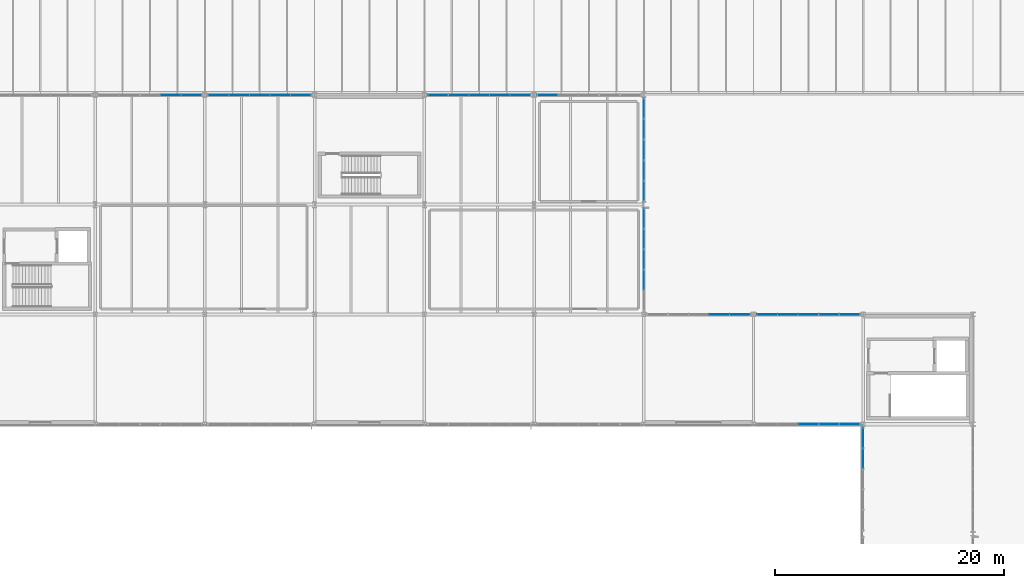
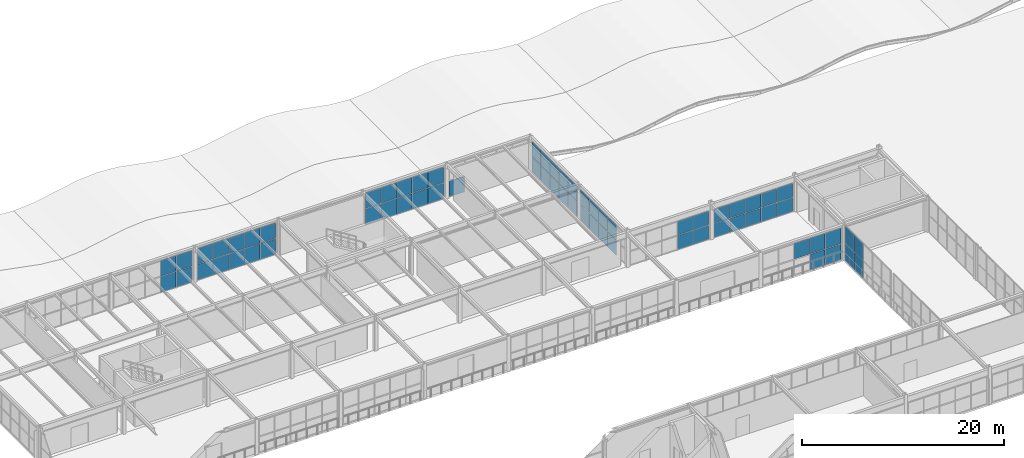
# One storey, part 140 of 170: 66 plates, 10 elements without a shape of their own.
"""IFC4 building model written with IfcOpenShell, lengths in metres."""

from ifc_helpers import new_model, si_unit, direction, frame, origin, origin_2d, place, context, subcontext, project, spatial, rectangle, extrude, material, layer, layer_set, type_object, element, aggregate, save


model = new_model("IFC4")

# Units and contexts
model_context = context("Model", 3, precision=1e-05, world=origin(), true_north=direction((0.0, 1.0)))
body_context = subcontext(model_context, "Body", "Model", "MODEL_VIEW")
ifc_project = project(units=[si_unit("LENGTHUNIT", "METRE"), si_unit("AREAUNIT", "SQUARE_METRE"), si_unit("VOLUMEUNIT", "CUBIC_METRE"), si_unit("PLANEANGLEUNIT", "RADIAN"), si_unit("MASSUNIT", "GRAM", prefix="KILO")], contexts=[model_context])

# Site, building, storey
site_placement = place(None, origin())
site = spatial("IfcSite", under=ifc_project, at=site_placement, CompositionType="ELEMENT")
building_placement = place(site_placement, origin())
building = spatial("IfcBuilding", under=site, at=building_placement, Name="Coralgate Yard Interchange", CompositionType="ELEMENT")
storey_placement = place(building_placement, frame((0.0, 0.0, 6.0)))
storey = spatial("IfcBuildingStorey", under=building, at=storey_placement, Name="L01", CompositionType="ELEMENT", Elevation=6.0)

# Curtain wall, plates
ifc_material_1 = material(Name="Anodised coastal aluminium and solar-control low-E glass", Category="aluminium")
curtain_wall_type_1 = type_object("IfcCurtainWallType", Name="CW-CW-L01-B", PredefinedType="NOTDEFINED", material=ifc_material_1)
curtain_wall_1_placement = place(storey_placement, origin())
curtain_wall_1 = element("IfcCurtainWall", 1, at=curtain_wall_1_placement, inside=storey, type_object=curtain_wall_type_1, Name="L01 unitised curtain wall CW-L01-N-06-09", PredefinedType="NOTDEFINED")
ifc_material_2 = material(Name="Solar-control double-glazed low-E glass unit", Category="glass")
ifc_layer = layer(ifc_material_2, 0.031982421875)
ifc_layer_set = layer_set([ifc_layer], Name="Solar-control double-glazed low-E glass unit")
plate_type = type_object("IfcPlateType", Name="PLT-CP-32", PredefinedType="CURTAIN_PANEL", material=ifc_layer_set)
plate_1_placement = place(storey_placement, frame((64.199951171875, 96.0, 0.025146484375), z_axis=(0.0, 0.0, 1.0), x_axis=(1.0, 0.0, 0.0)))
plate_1 = element("IfcPlate", 2, at=plate_1_placement, type_object=plate_type, Name="CW-L01-N-06-09 solar-control glazing panel 4-1", PredefinedType="CURTAIN_PANEL", context=body_context, shape_type="SweptSolid", body=[
    extrude(rectangle(XDim=1.75, YDim=0.031982421875, at=origin_2d()), origin(), (0.0, 0.0, 1.0), 1.89990234375),
])
plate_2_placement = place(storey_placement, frame((64.199951171875, 96.0, 1.97509765625), z_axis=(0.0, 0.0, 1.0), x_axis=(1.0, 0.0, 0.0)))
plate_2 = element("IfcPlate", 3, at=plate_2_placement, type_object=plate_type, Name="CW-L01-N-06-09 solar-control glazing panel 4-2", PredefinedType="CURTAIN_PANEL", context=body_context, shape_type="SweptSolid", body=[
    extrude(rectangle(XDim=1.75, YDim=0.031982421875, at=origin_2d()), origin(), (0.0, 0.0, 1.0), 1.89990234375),
])
plate_3_placement = place(storey_placement, frame((66.0, 96.0, 0.025146484375), z_axis=(0.0, 0.0, 1.0), x_axis=(1.0, 0.0, 0.0)))
plate_3 = element("IfcPlate", 4, at=plate_3_placement, type_object=plate_type, Name="CW-L01-N-06-09 solar-control glazing panel 5-1", PredefinedType="CURTAIN_PANEL", context=body_context, shape_type="SweptSolid", body=[
    extrude(rectangle(XDim=1.75, YDim=0.031982421875, at=origin_2d()), origin(), (0.0, 0.0, 1.0), 1.89990234375),
])
plate_4_placement = place(storey_placement, frame((66.0, 96.0, 1.97509765625), z_axis=(0.0, 0.0, 1.0), x_axis=(1.0, 0.0, 0.0)))
plate_4 = element("IfcPlate", 5, at=plate_4_placement, type_object=plate_type, Name="CW-L01-N-06-09 solar-control glazing panel 5-2", PredefinedType="CURTAIN_PANEL", context=body_context, shape_type="SweptSolid", body=[
    extrude(rectangle(XDim=1.75, YDim=0.031982421875, at=origin_2d()), origin(), (0.0, 0.0, 1.0), 1.89990234375),
])
aggregate(curtain_wall_1, [plate_1, plate_2, plate_3, plate_4])

curtain_wall_2_placement = place(storey_placement, origin())
curtain_wall_2 = element("IfcCurtainWall", 6, at=curtain_wall_2_placement, inside=storey, type_object=curtain_wall_type_1, Name="L01 unitised curtain wall CW-L01-N-07-09", PredefinedType="NOTDEFINED")
plate_5_placement = place(storey_placement, frame((68.39990234375, 96.0, 0.025146484375), z_axis=(0.0, 0.0, 1.0), x_axis=(1.0, 0.0, 0.0)))
plate_5 = element("IfcPlate", 7, at=plate_5_placement, type_object=plate_type, Name="CW-L01-N-07-09 solar-control glazing panel 1-1", PredefinedType="CURTAIN_PANEL", context=body_context, shape_type="SweptSolid", body=[
    extrude(rectangle(XDim=1.75, YDim=0.031982421875, at=origin_2d()), origin(), (0.0, 0.0, 1.0), 1.89990234375),
])
plate_6_placement = place(storey_placement, frame((68.39990234375, 96.0, 1.97509765625), z_axis=(0.0, 0.0, 1.0), x_axis=(1.0, 0.0, 0.0)))
plate_6 = element("IfcPlate", 8, at=plate_6_placement, type_object=plate_type, Name="CW-L01-N-07-09 solar-control glazing panel 1-2", PredefinedType="CURTAIN_PANEL", context=body_context, shape_type="SweptSolid", body=[
    extrude(rectangle(XDim=1.75, YDim=0.031982421875, at=origin_2d()), origin(), (0.0, 0.0, 1.0), 1.89990234375),
])
plate_7_placement = place(storey_placement, frame((70.199951171875, 96.0, 0.025146484375), z_axis=(0.0, 0.0, 1.0), x_axis=(1.0, 0.0, 0.0)))
plate_7 = element("IfcPlate", 9, at=plate_7_placement, type_object=plate_type, Name="CW-L01-N-07-09 solar-control glazing panel 2-1", PredefinedType="CURTAIN_PANEL", context=body_context, shape_type="SweptSolid", body=[
    extrude(rectangle(XDim=1.75, YDim=0.031982421875, at=origin_2d()), origin(), (0.0, 0.0, 1.0), 1.89990234375),
])
plate_8_placement = place(storey_placement, frame((70.199951171875, 96.0, 1.97509765625), z_axis=(0.0, 0.0, 1.0), x_axis=(1.0, 0.0, 0.0)))
plate_8 = element("IfcPlate", 10, at=plate_8_placement, type_object=plate_type, Name="CW-L01-N-07-09 solar-control glazing panel 2-2", PredefinedType="CURTAIN_PANEL", context=body_context, shape_type="SweptSolid", body=[
    extrude(rectangle(XDim=1.75, YDim=0.031982421875, at=origin_2d()), origin(), (0.0, 0.0, 1.0), 1.89990234375),
])
plate_9_placement = place(storey_placement, frame((72.0, 96.0, 0.025146484375), z_axis=(0.0, 0.0, 1.0), x_axis=(1.0, 0.0, 0.0)))
plate_9 = element("IfcPlate", 11, at=plate_9_placement, type_object=plate_type, Name="CW-L01-N-07-09 solar-control glazing panel 3-1", PredefinedType="CURTAIN_PANEL", context=body_context, shape_type="SweptSolid", body=[
    extrude(rectangle(XDim=1.75, YDim=0.031982421875, at=origin_2d()), origin(), (0.0, 0.0, 1.0), 1.89990234375),
])
plate_10_placement = place(storey_placement, frame((72.0, 96.0, 1.97509765625), z_axis=(0.0, 0.0, 1.0), x_axis=(1.0, 0.0, 0.0)))
plate_10 = element("IfcPlate", 12, at=plate_10_placement, type_object=plate_type, Name="CW-L01-N-07-09 solar-control glazing panel 3-2", PredefinedType="CURTAIN_PANEL", context=body_context, shape_type="SweptSolid", body=[
    extrude(rectangle(XDim=1.75, YDim=0.031982421875, at=origin_2d()), origin(), (0.0, 0.0, 1.0), 1.89990234375),
])
plate_11_placement = place(storey_placement, frame((73.800048828125, 96.0, 0.025146484375), z_axis=(0.0, 0.0, 1.0), x_axis=(1.0, 0.0, 0.0)))
plate_11 = element("IfcPlate", 13, at=plate_11_placement, type_object=plate_type, Name="CW-L01-N-07-09 solar-control glazing panel 4-1", PredefinedType="CURTAIN_PANEL", context=body_context, shape_type="SweptSolid", body=[
    extrude(rectangle(XDim=1.75, YDim=0.031982421875, at=origin_2d()), origin(), (0.0, 0.0, 1.0), 1.89990234375),
])
plate_12_placement = place(storey_placement, frame((73.800048828125, 96.0, 1.97509765625), z_axis=(0.0, 0.0, 1.0), x_axis=(1.0, 0.0, 0.0)))
plate_12 = element("IfcPlate", 14, at=plate_12_placement, type_object=plate_type, Name="CW-L01-N-07-09 solar-control glazing panel 4-2", PredefinedType="CURTAIN_PANEL", context=body_context, shape_type="SweptSolid", body=[
    extrude(rectangle(XDim=1.75, YDim=0.031982421875, at=origin_2d()), origin(), (0.0, 0.0, 1.0), 1.89990234375),
])
plate_13_placement = place(storey_placement, frame((75.60009765625, 96.0, 0.025146484375), z_axis=(0.0, 0.0, 1.0), x_axis=(1.0, 0.0, 0.0)))
plate_13 = element("IfcPlate", 15, at=plate_13_placement, type_object=plate_type, Name="CW-L01-N-07-09 solar-control glazing panel 5-1", PredefinedType="CURTAIN_PANEL", context=body_context, shape_type="SweptSolid", body=[
    extrude(rectangle(XDim=1.75, YDim=0.031982421875, at=origin_2d()), origin(), (0.0, 0.0, 1.0), 1.89990234375),
])
plate_14_placement = place(storey_placement, frame((75.60009765625, 96.0, 1.97509765625), z_axis=(0.0, 0.0, 1.0), x_axis=(1.0, 0.0, 0.0)))
plate_14 = element("IfcPlate", 16, at=plate_14_placement, type_object=plate_type, Name="CW-L01-N-07-09 solar-control glazing panel 5-2", PredefinedType="CURTAIN_PANEL", context=body_context, shape_type="SweptSolid", body=[
    extrude(rectangle(XDim=1.75, YDim=0.031982421875, at=origin_2d()), origin(), (0.0, 0.0, 1.0), 1.89990234375),
])
aggregate(curtain_wall_2, [plate_5, plate_6, plate_7, plate_8, plate_9, plate_10, plate_11, plate_12, plate_13, plate_14])

curtain_wall_3_placement = place(storey_placement, origin())
curtain_wall_3 = element("IfcCurtainWall", 17, at=curtain_wall_3_placement, inside=storey, type_object=curtain_wall_type_1, Name="L01 unitised curtain wall CW-L01-N-09-09", PredefinedType="NOTDEFINED")
plate_15_placement = place(storey_placement, frame((87.60009765625, 96.0, 0.025146484375), z_axis=(0.0, 0.0, 1.0), x_axis=(1.0, 0.0, 0.0)))
plate_15 = element("IfcPlate", 18, at=plate_15_placement, type_object=plate_type, Name="CW-L01-N-09-09 solar-control glazing panel 1-1", PredefinedType="CURTAIN_PANEL", context=body_context, shape_type="SweptSolid", body=[
    extrude(rectangle(XDim=1.75, YDim=0.031982421875, at=origin_2d()), origin(), (0.0, 0.0, 1.0), 1.89990234375),
])
plate_16_placement = place(storey_placement, frame((87.60009765625, 96.0, 1.97509765625), z_axis=(0.0, 0.0, 1.0), x_axis=(1.0, 0.0, 0.0)))
plate_16 = element("IfcPlate", 19, at=plate_16_placement, type_object=plate_type, Name="CW-L01-N-09-09 solar-control glazing panel 1-2", PredefinedType="CURTAIN_PANEL", context=body_context, shape_type="SweptSolid", body=[
    extrude(rectangle(XDim=1.75, YDim=0.031982421875, at=origin_2d()), origin(), (0.0, 0.0, 1.0), 1.89990234375),
])
plate_17_placement = place(storey_placement, frame((89.39990234375, 96.0, 0.025146484375), z_axis=(0.0, 0.0, 1.0), x_axis=(1.0, 0.0, 0.0)))
plate_17 = element("IfcPlate", 20, at=plate_17_placement, type_object=plate_type, Name="CW-L01-N-09-09 solar-control glazing panel 2-1", PredefinedType="CURTAIN_PANEL", context=body_context, shape_type="SweptSolid", body=[
    extrude(rectangle(XDim=1.75, YDim=0.031982421875, at=origin_2d()), origin(), (0.0, 0.0, 1.0), 1.89990234375),
])
plate_18_placement = place(storey_placement, frame((89.39990234375, 96.0, 1.97509765625), z_axis=(0.0, 0.0, 1.0), x_axis=(1.0, 0.0, 0.0)))
plate_18 = element("IfcPlate", 21, at=plate_18_placement, type_object=plate_type, Name="CW-L01-N-09-09 solar-control glazing panel 2-2", PredefinedType="CURTAIN_PANEL", context=body_context, shape_type="SweptSolid", body=[
    extrude(rectangle(XDim=1.75, YDim=0.031982421875, at=origin_2d()), origin(), (0.0, 0.0, 1.0), 1.89990234375),
])
plate_19_placement = place(storey_placement, frame((91.199951171875, 96.0, 0.025146484375), z_axis=(0.0, 0.0, 1.0), x_axis=(1.0, 0.0, 0.0)))
plate_19 = element("IfcPlate", 22, at=plate_19_placement, type_object=plate_type, Name="CW-L01-N-09-09 solar-control glazing panel 3-1", PredefinedType="CURTAIN_PANEL", context=body_context, shape_type="SweptSolid", body=[
    extrude(rectangle(XDim=1.75, YDim=0.031982421875, at=origin_2d()), origin(), (0.0, 0.0, 1.0), 1.89990234375),
])
plate_20_placement = place(storey_placement, frame((91.199951171875, 96.0, 1.97509765625), z_axis=(0.0, 0.0, 1.0), x_axis=(1.0, 0.0, 0.0)))
plate_20 = element("IfcPlate", 23, at=plate_20_placement, type_object=plate_type, Name="CW-L01-N-09-09 solar-control glazing panel 3-2", PredefinedType="CURTAIN_PANEL", context=body_context, shape_type="SweptSolid", body=[
    extrude(rectangle(XDim=1.75, YDim=0.031982421875, at=origin_2d()), origin(), (0.0, 0.0, 1.0), 1.89990234375),
])
plate_21_placement = place(storey_placement, frame((93.0, 96.0, 0.025146484375), z_axis=(0.0, 0.0, 1.0), x_axis=(1.0, 0.0, 0.0)))
plate_21 = element("IfcPlate", 24, at=plate_21_placement, type_object=plate_type, Name="CW-L01-N-09-09 solar-control glazing panel 4-1", PredefinedType="CURTAIN_PANEL", context=body_context, shape_type="SweptSolid", body=[
    extrude(rectangle(XDim=1.75, YDim=0.031982421875, at=origin_2d()), origin(), (0.0, 0.0, 1.0), 1.89990234375),
])
plate_22_placement = place(storey_placement, frame((93.0, 96.0, 1.97509765625), z_axis=(0.0, 0.0, 1.0), x_axis=(1.0, 0.0, 0.0)))
plate_22 = element("IfcPlate", 25, at=plate_22_placement, type_object=plate_type, Name="CW-L01-N-09-09 solar-control glazing panel 4-2", PredefinedType="CURTAIN_PANEL", context=body_context, shape_type="SweptSolid", body=[
    extrude(rectangle(XDim=1.75, YDim=0.031982421875, at=origin_2d()), origin(), (0.0, 0.0, 1.0), 1.89990234375),
])
plate_23_placement = place(storey_placement, frame((94.800048828125, 96.0, 0.025146484375), z_axis=(0.0, 0.0, 1.0), x_axis=(1.0, 0.0, 0.0)))
plate_23 = element("IfcPlate", 26, at=plate_23_placement, type_object=plate_type, Name="CW-L01-N-09-09 solar-control glazing panel 5-1", PredefinedType="CURTAIN_PANEL", context=body_context, shape_type="SweptSolid", body=[
    extrude(rectangle(XDim=1.75, YDim=0.031982421875, at=origin_2d()), origin(), (0.0, 0.0, 1.0), 1.89990234375),
])
plate_24_placement = place(storey_placement, frame((94.800048828125, 96.0, 1.97509765625), z_axis=(0.0, 0.0, 1.0), x_axis=(1.0, 0.0, 0.0)))
plate_24 = element("IfcPlate", 27, at=plate_24_placement, type_object=plate_type, Name="CW-L01-N-09-09 solar-control glazing panel 5-2", PredefinedType="CURTAIN_PANEL", context=body_context, shape_type="SweptSolid", body=[
    extrude(rectangle(XDim=1.75, YDim=0.031982421875, at=origin_2d()), origin(), (0.0, 0.0, 1.0), 1.89990234375),
])
aggregate(curtain_wall_3, [plate_15, plate_16, plate_17, plate_18, plate_19, plate_20, plate_21, plate_22, plate_23, plate_24])

curtain_wall_4_placement = place(storey_placement, origin())
curtain_wall_4 = element("IfcCurtainWall", 28, at=curtain_wall_4_placement, inside=storey, type_object=curtain_wall_type_1, Name="L01 unitised curtain wall CW-L01-E-10-08", PredefinedType="NOTDEFINED")
plate_25_placement = place(storey_placement, frame((105.60009765625, 85.199951171875, 0.02490234375), z_axis=(0.0, 0.0, 1.0), x_axis=(0.0, -1.0, 0.0)))
plate_25 = element("IfcPlate", 29, at=plate_25_placement, type_object=plate_type, Name="CW-L01-E-10-08 solar-control glazing panel 1-1", PredefinedType="CURTAIN_PANEL", context=body_context, shape_type="SweptSolid", body=[
    extrude(rectangle(XDim=1.75, YDim=0.031982421875, at=origin_2d()), origin(), (0.0, 0.0, 1.0), 1.808349609375),
])
plate_26_placement = place(storey_placement, frame((105.60009765625, 85.199951171875, 1.88330078125), z_axis=(0.0, 0.0, 1.0), x_axis=(0.0, -1.0, 0.0)))
plate_26 = element("IfcPlate", 30, at=plate_26_placement, type_object=plate_type, Name="CW-L01-E-10-08 solar-control glazing panel 1-2", PredefinedType="CURTAIN_PANEL", context=body_context, shape_type="SweptSolid", body=[
    extrude(rectangle(XDim=1.75, YDim=0.031982421875, at=origin_2d()), origin(), (0.0, 0.0, 1.0), 1.808349609375),
])
plate_27_placement = place(storey_placement, frame((105.60009765625, 83.39990234375, 0.02490234375), z_axis=(0.0, 0.0, 1.0), x_axis=(0.0, -1.0, 0.0)))
plate_27 = element("IfcPlate", 31, at=plate_27_placement, type_object=plate_type, Name="CW-L01-E-10-08 solar-control glazing panel 2-1", PredefinedType="CURTAIN_PANEL", context=body_context, shape_type="SweptSolid", body=[
    extrude(rectangle(XDim=1.75, YDim=0.031982421875, at=origin_2d()), origin(), (0.0, 0.0, 1.0), 1.808349609375),
])
plate_28_placement = place(storey_placement, frame((105.60009765625, 83.39990234375, 1.88330078125), z_axis=(0.0, 0.0, 1.0), x_axis=(0.0, -1.0, 0.0)))
plate_28 = element("IfcPlate", 32, at=plate_28_placement, type_object=plate_type, Name="CW-L01-E-10-08 solar-control glazing panel 2-2", PredefinedType="CURTAIN_PANEL", context=body_context, shape_type="SweptSolid", body=[
    extrude(rectangle(XDim=1.75, YDim=0.031982421875, at=origin_2d()), origin(), (0.0, 0.0, 1.0), 1.808349609375),
])
plate_29_placement = place(storey_placement, frame((105.60009765625, 81.60009765625, 0.02490234375), z_axis=(0.0, 0.0, 1.0), x_axis=(0.0, -1.0, 0.0)))
plate_29 = element("IfcPlate", 33, at=plate_29_placement, type_object=plate_type, Name="CW-L01-E-10-08 solar-control glazing panel 3-1", PredefinedType="CURTAIN_PANEL", context=body_context, shape_type="SweptSolid", body=[
    extrude(rectangle(XDim=1.75, YDim=0.031982421875, at=origin_2d()), origin(), (0.0, 0.0, 1.0), 1.808349609375),
])
plate_30_placement = place(storey_placement, frame((105.60009765625, 81.60009765625, 1.88330078125), z_axis=(0.0, 0.0, 1.0), x_axis=(0.0, -1.0, 0.0)))
plate_30 = element("IfcPlate", 34, at=plate_30_placement, type_object=plate_type, Name="CW-L01-E-10-08 solar-control glazing panel 3-2", PredefinedType="CURTAIN_PANEL", context=body_context, shape_type="SweptSolid", body=[
    extrude(rectangle(XDim=1.75, YDim=0.031982421875, at=origin_2d()), origin(), (0.0, 0.0, 1.0), 1.808349609375),
])
plate_31_placement = place(storey_placement, frame((105.60009765625, 79.800048828125, 0.02490234375), z_axis=(0.0, 0.0, 1.0), x_axis=(0.0, -1.0, 0.0)))
plate_31 = element("IfcPlate", 35, at=plate_31_placement, type_object=plate_type, Name="CW-L01-E-10-08 solar-control glazing panel 4-1", PredefinedType="CURTAIN_PANEL", context=body_context, shape_type="SweptSolid", body=[
    extrude(rectangle(XDim=1.75, YDim=0.031982421875, at=origin_2d()), origin(), (0.0, 0.0, 1.0), 1.808349609375),
])
plate_32_placement = place(storey_placement, frame((105.60009765625, 79.800048828125, 1.88330078125), z_axis=(0.0, 0.0, 1.0), x_axis=(0.0, -1.0, 0.0)))
plate_32 = element("IfcPlate", 36, at=plate_32_placement, type_object=plate_type, Name="CW-L01-E-10-08 solar-control glazing panel 4-2", PredefinedType="CURTAIN_PANEL", context=body_context, shape_type="SweptSolid", body=[
    extrude(rectangle(XDim=1.75, YDim=0.031982421875, at=origin_2d()), origin(), (0.0, 0.0, 1.0), 1.808349609375),
])
aggregate(curtain_wall_4, [plate_25, plate_26, plate_27, plate_28, plate_29, plate_30, plate_31, plate_32])

# Curtain wall, plate
curtain_wall_type_2 = type_object("IfcCurtainWallType", Name="CW-CW-L01-A", PredefinedType="NOTDEFINED", material=ifc_material_1)
curtain_wall_5_placement = place(storey_placement, origin())
curtain_wall_5 = element("IfcCurtainWall", 37, at=curtain_wall_5_placement, inside=storey, type_object=curtain_wall_type_2, Name="L01 unitised curtain wall CW-L01-N-10-09", PredefinedType="NOTDEFINED")
plate_33_placement = place(storey_placement, frame((97.199951171875, 96.0, 0.025146484375), z_axis=(0.0, 0.0, 1.0), x_axis=(1.0, 0.0, 0.0)))
plate_33 = element("IfcPlate", 38, at=plate_33_placement, type_object=plate_type, Name="CW-L01-N-10-09 solar-control glazing panel 1-1", PredefinedType="CURTAIN_PANEL", context=body_context, shape_type="SweptSolid", body=[
    extrude(rectangle(XDim=1.75, YDim=0.031982421875, at=origin_2d()), origin(), (0.0, 0.0, 1.0), 1.89990234375),
])
aggregate(curtain_wall_5, [plate_33])

# Curtain wall, plates
curtain_wall_6_placement = place(storey_placement, origin())
curtain_wall_6 = element("IfcCurtainWall", 39, at=curtain_wall_6_placement, inside=storey, type_object=curtain_wall_type_1, Name="L01 unitised curtain wall CW-L01-E-10-09", PredefinedType="NOTDEFINED")
plate_34_placement = place(storey_placement, frame((105.60009765625, 94.800048828125, 0.02490234375), z_axis=(0.0, 0.0, 1.0), x_axis=(0.0, -1.0, 0.0)))
plate_34 = element("IfcPlate", 40, at=plate_34_placement, type_object=plate_type, Name="CW-L01-E-10-09 solar-control glazing panel 1-1", PredefinedType="CURTAIN_PANEL", context=body_context, shape_type="SweptSolid", body=[
    extrude(rectangle(XDim=1.75, YDim=0.031982421875, at=origin_2d()), origin(), (0.0, 0.0, 1.0), 1.808349609375),
])
plate_35_placement = place(storey_placement, frame((105.60009765625, 94.800048828125, 1.88330078125), z_axis=(0.0, 0.0, 1.0), x_axis=(0.0, -1.0, 0.0)))
plate_35 = element("IfcPlate", 41, at=plate_35_placement, type_object=plate_type, Name="CW-L01-E-10-09 solar-control glazing panel 1-2", PredefinedType="CURTAIN_PANEL", context=body_context, shape_type="SweptSolid", body=[
    extrude(rectangle(XDim=1.75, YDim=0.031982421875, at=origin_2d()), origin(), (0.0, 0.0, 1.0), 1.808349609375),
])
plate_36_placement = place(storey_placement, frame((105.60009765625, 93.0, 0.02490234375), z_axis=(0.0, 0.0, 1.0), x_axis=(0.0, -1.0, 0.0)))
plate_36 = element("IfcPlate", 42, at=plate_36_placement, type_object=plate_type, Name="CW-L01-E-10-09 solar-control glazing panel 2-1", PredefinedType="CURTAIN_PANEL", context=body_context, shape_type="SweptSolid", body=[
    extrude(rectangle(XDim=1.75, YDim=0.031982421875, at=origin_2d()), origin(), (0.0, 0.0, 1.0), 1.808349609375),
])
plate_37_placement = place(storey_placement, frame((105.60009765625, 93.0, 1.88330078125), z_axis=(0.0, 0.0, 1.0), x_axis=(0.0, -1.0, 0.0)))
plate_37 = element("IfcPlate", 43, at=plate_37_placement, type_object=plate_type, Name="CW-L01-E-10-09 solar-control glazing panel 2-2", PredefinedType="CURTAIN_PANEL", context=body_context, shape_type="SweptSolid", body=[
    extrude(rectangle(XDim=1.75, YDim=0.031982421875, at=origin_2d()), origin(), (0.0, 0.0, 1.0), 1.808349609375),
])
plate_38_placement = place(storey_placement, frame((105.60009765625, 91.199951171875, 0.02490234375), z_axis=(0.0, 0.0, 1.0), x_axis=(0.0, -1.0, 0.0)))
plate_38 = element("IfcPlate", 44, at=plate_38_placement, type_object=plate_type, Name="CW-L01-E-10-09 solar-control glazing panel 3-1", PredefinedType="CURTAIN_PANEL", context=body_context, shape_type="SweptSolid", body=[
    extrude(rectangle(XDim=1.75, YDim=0.031982421875, at=origin_2d()), origin(), (0.0, 0.0, 1.0), 1.808349609375),
])
plate_39_placement = place(storey_placement, frame((105.60009765625, 91.199951171875, 1.88330078125), z_axis=(0.0, 0.0, 1.0), x_axis=(0.0, -1.0, 0.0)))
plate_39 = element("IfcPlate", 45, at=plate_39_placement, type_object=plate_type, Name="CW-L01-E-10-09 solar-control glazing panel 3-2", PredefinedType="CURTAIN_PANEL", context=body_context, shape_type="SweptSolid", body=[
    extrude(rectangle(XDim=1.75, YDim=0.031982421875, at=origin_2d()), origin(), (0.0, 0.0, 1.0), 1.808349609375),
])
plate_40_placement = place(storey_placement, frame((105.60009765625, 89.39990234375, 0.02490234375), z_axis=(0.0, 0.0, 1.0), x_axis=(0.0, -1.0, 0.0)))
plate_40 = element("IfcPlate", 46, at=plate_40_placement, type_object=plate_type, Name="CW-L01-E-10-09 solar-control glazing panel 4-1", PredefinedType="CURTAIN_PANEL", context=body_context, shape_type="SweptSolid", body=[
    extrude(rectangle(XDim=1.75, YDim=0.031982421875, at=origin_2d()), origin(), (0.0, 0.0, 1.0), 1.808349609375),
])
plate_41_placement = place(storey_placement, frame((105.60009765625, 89.39990234375, 1.88330078125), z_axis=(0.0, 0.0, 1.0), x_axis=(0.0, -1.0, 0.0)))
plate_41 = element("IfcPlate", 47, at=plate_41_placement, type_object=plate_type, Name="CW-L01-E-10-09 solar-control glazing panel 4-2", PredefinedType="CURTAIN_PANEL", context=body_context, shape_type="SweptSolid", body=[
    extrude(rectangle(XDim=1.75, YDim=0.031982421875, at=origin_2d()), origin(), (0.0, 0.0, 1.0), 1.808349609375),
])
plate_42_placement = place(storey_placement, frame((105.60009765625, 87.60009765625, 0.02490234375), z_axis=(0.0, 0.0, 1.0), x_axis=(0.0, -1.0, 0.0)))
plate_42 = element("IfcPlate", 48, at=plate_42_placement, type_object=plate_type, Name="CW-L01-E-10-09 solar-control glazing panel 5-1", PredefinedType="CURTAIN_PANEL", context=body_context, shape_type="SweptSolid", body=[
    extrude(rectangle(XDim=1.75, YDim=0.031982421875, at=origin_2d()), origin(), (0.0, 0.0, 1.0), 1.808349609375),
])
plate_43_placement = place(storey_placement, frame((105.60009765625, 87.60009765625, 1.88330078125), z_axis=(0.0, 0.0, 1.0), x_axis=(0.0, -1.0, 0.0)))
plate_43 = element("IfcPlate", 49, at=plate_43_placement, type_object=plate_type, Name="CW-L01-E-10-09 solar-control glazing panel 5-2", PredefinedType="CURTAIN_PANEL", context=body_context, shape_type="SweptSolid", body=[
    extrude(rectangle(XDim=1.75, YDim=0.031982421875, at=origin_2d()), origin(), (0.0, 0.0, 1.0), 1.808349609375),
])
aggregate(curtain_wall_6, [plate_34, plate_35, plate_36, plate_37, plate_38, plate_39, plate_40, plate_41, plate_42, plate_43])

curtain_wall_7_placement = place(storey_placement, origin())
curtain_wall_7 = element("IfcCurtainWall", 50, at=curtain_wall_7_placement, inside=storey, type_object=curtain_wall_type_1, Name="L01 unitised curtain wall CW-L01-N-11-07", PredefinedType="NOTDEFINED")
plate_44_placement = place(storey_placement, frame((112.199951171875, 76.800048828125, 0.025146484375), z_axis=(0.0, 0.0, 1.0), x_axis=(1.0, 0.0, 0.0)))
plate_44 = element("IfcPlate", 51, at=plate_44_placement, type_object=plate_type, Name="CW-L01-N-11-07 solar-control glazing panel 4-1", PredefinedType="CURTAIN_PANEL", context=body_context, shape_type="SweptSolid", body=[
    extrude(rectangle(XDim=1.75, YDim=0.031982421875, at=origin_2d()), origin(), (0.0, 0.0, 1.0), 1.69384765625),
])
plate_45_placement = place(storey_placement, frame((112.199951171875, 76.800048828125, 1.76904296875), z_axis=(0.0, 0.0, 1.0), x_axis=(1.0, 0.0, 0.0)))
plate_45 = element("IfcPlate", 52, at=plate_45_placement, type_object=plate_type, Name="CW-L01-N-11-07 solar-control glazing panel 4-2", PredefinedType="CURTAIN_PANEL", context=body_context, shape_type="SweptSolid", body=[
    extrude(rectangle(XDim=1.75, YDim=0.031982421875, at=origin_2d()), origin(), (0.0, 0.0, 1.0), 1.69384765625),
])
plate_46_placement = place(storey_placement, frame((114.0, 76.800048828125, 0.025146484375), z_axis=(0.0, 0.0, 1.0), x_axis=(1.0, 0.0, 0.0)))
plate_46 = element("IfcPlate", 53, at=plate_46_placement, type_object=plate_type, Name="CW-L01-N-11-07 solar-control glazing panel 5-1", PredefinedType="CURTAIN_PANEL", context=body_context, shape_type="SweptSolid", body=[
    extrude(rectangle(XDim=1.75, YDim=0.031982421875, at=origin_2d()), origin(), (0.0, 0.0, 1.0), 1.69384765625),
])
plate_47_placement = place(storey_placement, frame((114.0, 76.800048828125, 1.76904296875), z_axis=(0.0, 0.0, 1.0), x_axis=(1.0, 0.0, 0.0)))
plate_47 = element("IfcPlate", 54, at=plate_47_placement, type_object=plate_type, Name="CW-L01-N-11-07 solar-control glazing panel 5-2", PredefinedType="CURTAIN_PANEL", context=body_context, shape_type="SweptSolid", body=[
    extrude(rectangle(XDim=1.75, YDim=0.031982421875, at=origin_2d()), origin(), (0.0, 0.0, 1.0), 1.69384765625),
])
aggregate(curtain_wall_7, [plate_44, plate_45, plate_46, plate_47])

curtain_wall_8_placement = place(storey_placement, origin())
curtain_wall_8 = element("IfcCurtainWall", 55, at=curtain_wall_8_placement, inside=storey, type_object=curtain_wall_type_2, Name="L01 unitised curtain wall CW-L01-S-12-07", PredefinedType="NOTDEFINED")
plate_48_placement = place(storey_placement, frame((123.60009765625, 67.199951171875, 0.025146484375), z_axis=(0.0, 0.0, 1.0), x_axis=(-1.0, 0.0, 0.0)))
plate_48 = element("IfcPlate", 56, at=plate_48_placement, type_object=plate_type, Name="CW-L01-S-12-07 solar-control glazing panel 1-1", PredefinedType="CURTAIN_PANEL", context=body_context, shape_type="SweptSolid", body=[
    extrude(rectangle(XDim=1.75, YDim=0.031982421875, at=origin_2d()), origin(), (0.0, 0.0, 1.0), 1.89990234375),
])
plate_49_placement = place(storey_placement, frame((123.60009765625, 67.199951171875, 1.97509765625), z_axis=(0.0, 0.0, 1.0), x_axis=(-1.0, 0.0, 0.0)))
plate_49 = element("IfcPlate", 57, at=plate_49_placement, type_object=plate_type, Name="CW-L01-S-12-07 solar-control glazing panel 1-2", PredefinedType="CURTAIN_PANEL", context=body_context, shape_type="SweptSolid", body=[
    extrude(rectangle(XDim=1.75, YDim=0.031982421875, at=origin_2d()), origin(), (0.0, 0.0, 1.0), 1.89990234375),
])
plate_50_placement = place(storey_placement, frame((121.800048828125, 67.199951171875, 0.025146484375), z_axis=(0.0, 0.0, 1.0), x_axis=(-1.0, 0.0, 0.0)))
plate_50 = element("IfcPlate", 58, at=plate_50_placement, type_object=plate_type, Name="CW-L01-S-12-07 solar-control glazing panel 2-1", PredefinedType="CURTAIN_PANEL", context=body_context, shape_type="SweptSolid", body=[
    extrude(rectangle(XDim=1.75, YDim=0.031982421875, at=origin_2d()), origin(), (0.0, 0.0, 1.0), 1.89990234375),
])
plate_51_placement = place(storey_placement, frame((121.800048828125, 67.199951171875, 1.97509765625), z_axis=(0.0, 0.0, 1.0), x_axis=(-1.0, 0.0, 0.0)))
plate_51 = element("IfcPlate", 59, at=plate_51_placement, type_object=plate_type, Name="CW-L01-S-12-07 solar-control glazing panel 2-2", PredefinedType="CURTAIN_PANEL", context=body_context, shape_type="SweptSolid", body=[
    extrude(rectangle(XDim=1.75, YDim=0.031982421875, at=origin_2d()), origin(), (0.0, 0.0, 1.0), 1.89990234375),
])
plate_52_placement = place(storey_placement, frame((120.0, 67.199951171875, 1.97509765625), z_axis=(0.0, 0.0, 1.0), x_axis=(-1.0, 0.0, 0.0)))
plate_52 = element("IfcPlate", 60, at=plate_52_placement, type_object=plate_type, Name="CW-L01-S-12-07 solar-control glazing panel 3-2", PredefinedType="CURTAIN_PANEL", context=body_context, shape_type="SweptSolid", body=[
    extrude(rectangle(XDim=1.75, YDim=0.031982421875, at=origin_2d()), origin(), (0.0, 0.0, 1.0), 1.89990234375),
])
aggregate(curtain_wall_8, [plate_48, plate_49, plate_50, plate_51, plate_52])

curtain_wall_9_placement = place(storey_placement, origin())
curtain_wall_9 = element("IfcCurtainWall", 61, at=curtain_wall_9_placement, inside=storey, type_object=curtain_wall_type_1, Name="L01 unitised curtain wall CW-L01-N-12-07", PredefinedType="NOTDEFINED")
plate_53_placement = place(storey_placement, frame((116.39990234375, 76.800048828125, 0.025146484375), z_axis=(0.0, 0.0, 1.0), x_axis=(1.0, 0.0, 0.0)))
plate_53 = element("IfcPlate", 62, at=plate_53_placement, type_object=plate_type, Name="CW-L01-N-12-07 solar-control glazing panel 1-1", PredefinedType="CURTAIN_PANEL", context=body_context, shape_type="SweptSolid", body=[
    extrude(rectangle(XDim=1.75, YDim=0.031982421875, at=origin_2d()), origin(), (0.0, 0.0, 1.0), 1.69384765625),
])
plate_54_placement = place(storey_placement, frame((116.39990234375, 76.800048828125, 1.76904296875), z_axis=(0.0, 0.0, 1.0), x_axis=(1.0, 0.0, 0.0)))
plate_54 = element("IfcPlate", 63, at=plate_54_placement, type_object=plate_type, Name="CW-L01-N-12-07 solar-control glazing panel 1-2", PredefinedType="CURTAIN_PANEL", context=body_context, shape_type="SweptSolid", body=[
    extrude(rectangle(XDim=1.75, YDim=0.031982421875, at=origin_2d()), origin(), (0.0, 0.0, 1.0), 1.69384765625),
])
plate_55_placement = place(storey_placement, frame((118.199951171875, 76.800048828125, 0.025146484375), z_axis=(0.0, 0.0, 1.0), x_axis=(1.0, 0.0, 0.0)))
plate_55 = element("IfcPlate", 64, at=plate_55_placement, type_object=plate_type, Name="CW-L01-N-12-07 solar-control glazing panel 2-1", PredefinedType="CURTAIN_PANEL", context=body_context, shape_type="SweptSolid", body=[
    extrude(rectangle(XDim=1.75, YDim=0.031982421875, at=origin_2d()), origin(), (0.0, 0.0, 1.0), 1.69384765625),
])
plate_56_placement = place(storey_placement, frame((118.199951171875, 76.800048828125, 1.76904296875), z_axis=(0.0, 0.0, 1.0), x_axis=(1.0, 0.0, 0.0)))
plate_56 = element("IfcPlate", 65, at=plate_56_placement, type_object=plate_type, Name="CW-L01-N-12-07 solar-control glazing panel 2-2", PredefinedType="CURTAIN_PANEL", context=body_context, shape_type="SweptSolid", body=[
    extrude(rectangle(XDim=1.75, YDim=0.031982421875, at=origin_2d()), origin(), (0.0, 0.0, 1.0), 1.69384765625),
])
plate_57_placement = place(storey_placement, frame((120.0, 76.800048828125, 0.025146484375), z_axis=(0.0, 0.0, 1.0), x_axis=(1.0, 0.0, 0.0)))
plate_57 = element("IfcPlate", 66, at=plate_57_placement, type_object=plate_type, Name="CW-L01-N-12-07 solar-control glazing panel 3-1", PredefinedType="CURTAIN_PANEL", context=body_context, shape_type="SweptSolid", body=[
    extrude(rectangle(XDim=1.75, YDim=0.031982421875, at=origin_2d()), origin(), (0.0, 0.0, 1.0), 1.69384765625),
])
plate_58_placement = place(storey_placement, frame((120.0, 76.800048828125, 1.76904296875), z_axis=(0.0, 0.0, 1.0), x_axis=(1.0, 0.0, 0.0)))
plate_58 = element("IfcPlate", 67, at=plate_58_placement, type_object=plate_type, Name="CW-L01-N-12-07 solar-control glazing panel 3-2", PredefinedType="CURTAIN_PANEL", context=body_context, shape_type="SweptSolid", body=[
    extrude(rectangle(XDim=1.75, YDim=0.031982421875, at=origin_2d()), origin(), (0.0, 0.0, 1.0), 1.69384765625),
])
plate_59_placement = place(storey_placement, frame((121.800048828125, 76.800048828125, 0.025146484375), z_axis=(0.0, 0.0, 1.0), x_axis=(1.0, 0.0, 0.0)))
plate_59 = element("IfcPlate", 68, at=plate_59_placement, type_object=plate_type, Name="CW-L01-N-12-07 solar-control glazing panel 4-1", PredefinedType="CURTAIN_PANEL", context=body_context, shape_type="SweptSolid", body=[
    extrude(rectangle(XDim=1.75, YDim=0.031982421875, at=origin_2d()), origin(), (0.0, 0.0, 1.0), 1.69384765625),
])
plate_60_placement = place(storey_placement, frame((121.800048828125, 76.800048828125, 1.76904296875), z_axis=(0.0, 0.0, 1.0), x_axis=(1.0, 0.0, 0.0)))
plate_60 = element("IfcPlate", 69, at=plate_60_placement, type_object=plate_type, Name="CW-L01-N-12-07 solar-control glazing panel 4-2", PredefinedType="CURTAIN_PANEL", context=body_context, shape_type="SweptSolid", body=[
    extrude(rectangle(XDim=1.75, YDim=0.031982421875, at=origin_2d()), origin(), (0.0, 0.0, 1.0), 1.69384765625),
])
plate_61_placement = place(storey_placement, frame((123.60009765625, 76.800048828125, 0.025146484375), z_axis=(0.0, 0.0, 1.0), x_axis=(1.0, 0.0, 0.0)))
plate_61 = element("IfcPlate", 70, at=plate_61_placement, type_object=plate_type, Name="CW-L01-N-12-07 solar-control glazing panel 5-1", PredefinedType="CURTAIN_PANEL", context=body_context, shape_type="SweptSolid", body=[
    extrude(rectangle(XDim=1.75, YDim=0.031982421875, at=origin_2d()), origin(), (0.0, 0.0, 1.0), 1.69384765625),
])
plate_62_placement = place(storey_placement, frame((123.60009765625, 76.800048828125, 1.76904296875), z_axis=(0.0, 0.0, 1.0), x_axis=(1.0, 0.0, 0.0)))
plate_62 = element("IfcPlate", 71, at=plate_62_placement, type_object=plate_type, Name="CW-L01-N-12-07 solar-control glazing panel 5-2", PredefinedType="CURTAIN_PANEL", context=body_context, shape_type="SweptSolid", body=[
    extrude(rectangle(XDim=1.75, YDim=0.031982421875, at=origin_2d()), origin(), (0.0, 0.0, 1.0), 1.69384765625),
])
aggregate(curtain_wall_9, [plate_53, plate_54, plate_55, plate_56, plate_57, plate_58, plate_59, plate_60, plate_61, plate_62])

curtain_wall_10_placement = place(storey_placement, origin())
curtain_wall_10 = element("IfcCurtainWall", 72, at=curtain_wall_10_placement, inside=storey, type_object=curtain_wall_type_2, Name="L01 unitised curtain wall CW-L01-W-13-06", PredefinedType="NOTDEFINED")
plate_63_placement = place(storey_placement, frame((124.800048828125, 64.199951171875, 0.02490234375), z_axis=(0.0, 0.0, 1.0), x_axis=(0.0, 1.0, 0.0)))
plate_63 = element("IfcPlate", 73, at=plate_63_placement, type_object=plate_type, Name="CW-L01-W-13-06 solar-control glazing panel 4-1", PredefinedType="CURTAIN_PANEL", context=body_context, shape_type="SweptSolid", body=[
    extrude(rectangle(XDim=1.75, YDim=0.031982421875, at=origin_2d()), origin(), (0.0, 0.0, 1.0), 2.074951171875),
])
plate_64_placement = place(storey_placement, frame((124.800048828125, 64.199951171875, 2.14990234375), z_axis=(0.0, 0.0, 1.0), x_axis=(0.0, 1.0, 0.0)))
plate_64 = element("IfcPlate", 74, at=plate_64_placement, type_object=plate_type, Name="CW-L01-W-13-06 solar-control glazing panel 4-2", PredefinedType="CURTAIN_PANEL", context=body_context, shape_type="SweptSolid", body=[
    extrude(rectangle(XDim=1.75, YDim=0.031982421875, at=origin_2d()), origin(), (0.0, 0.0, 1.0), 2.074951171875),
])
plate_65_placement = place(storey_placement, frame((124.800048828125, 66.0, 0.02490234375), z_axis=(0.0, 0.0, 1.0), x_axis=(0.0, 1.0, 0.0)))
plate_65 = element("IfcPlate", 75, at=plate_65_placement, type_object=plate_type, Name="CW-L01-W-13-06 solar-control glazing panel 5-1", PredefinedType="CURTAIN_PANEL", context=body_context, shape_type="SweptSolid", body=[
    extrude(rectangle(XDim=1.75, YDim=0.031982421875, at=origin_2d()), origin(), (0.0, 0.0, 1.0), 2.074951171875),
])
plate_66_placement = place(storey_placement, frame((124.800048828125, 66.0, 2.14990234375), z_axis=(0.0, 0.0, 1.0), x_axis=(0.0, 1.0, 0.0)))
plate_66 = element("IfcPlate", 76, at=plate_66_placement, type_object=plate_type, Name="CW-L01-W-13-06 solar-control glazing panel 5-2", PredefinedType="CURTAIN_PANEL", context=body_context, shape_type="SweptSolid", body=[
    extrude(rectangle(XDim=1.75, YDim=0.031982421875, at=origin_2d()), origin(), (0.0, 0.0, 1.0), 2.074951171875),
])
aggregate(curtain_wall_10, [plate_63, plate_64, plate_65, plate_66])

save(model, "model.ifc")
